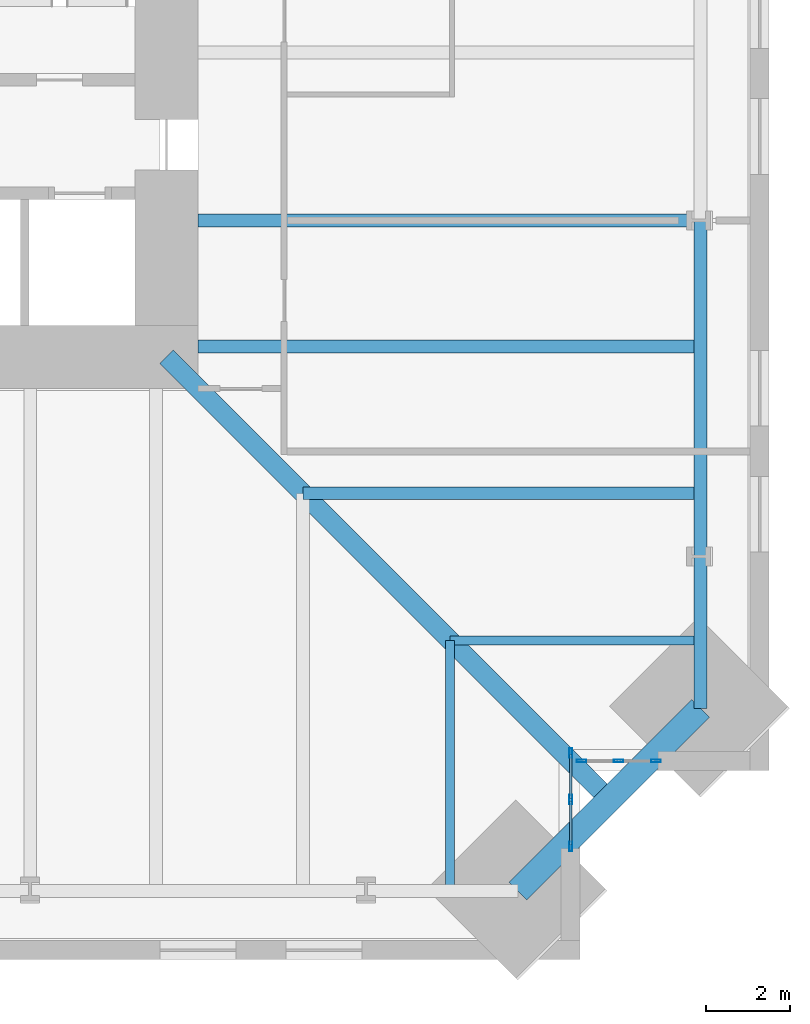
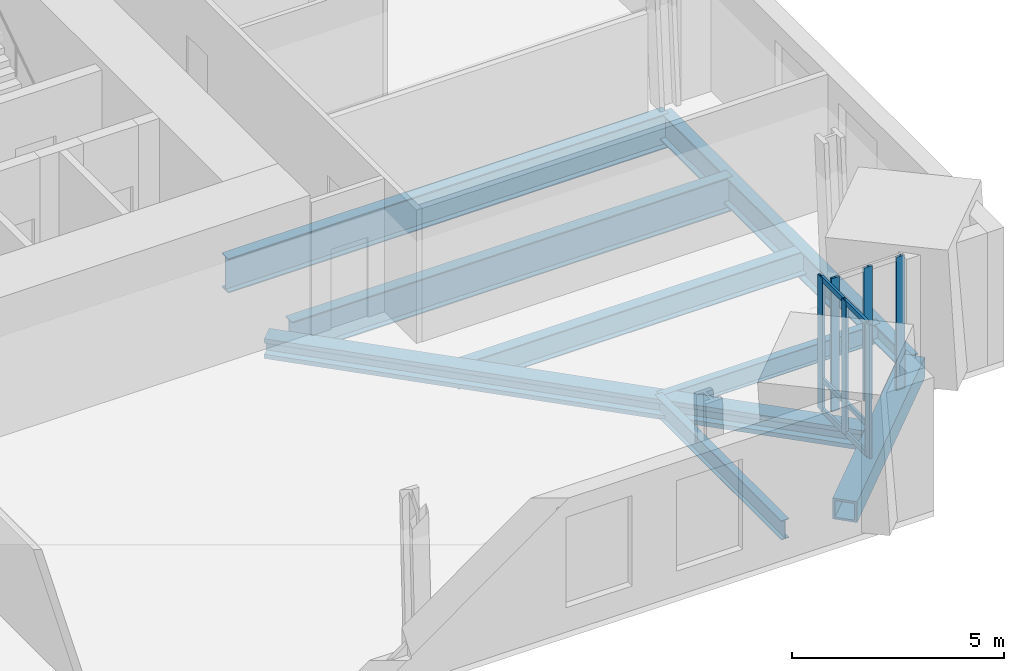
# One storey, part 4 of 18: 12 members, 9 beams, 2 elements without a shape of their own.
"""IFC4 building model written with IfcOpenShell, lengths in metres."""

from ifc_helpers import new_model, si_unit, direction, frame, origin, origin_2d, place, context, subcontext, project, spatial, hollow_rectangle, i_section, extrude, material, material_profile, profile_set, type_object, element, aggregate, save


model = new_model("IFC4")

# Units and contexts
model_context = context("Model", 3, precision=1e-05, world=origin(), true_north=direction((0.0, 1.0)))
body_context = subcontext(model_context, "Body", "Model", "MODEL_VIEW")
ifc_project = project(units=[si_unit("LENGTHUNIT", "METRE"), si_unit("AREAUNIT", "SQUARE_METRE"), si_unit("VOLUMEUNIT", "CUBIC_METRE"), si_unit("PLANEANGLEUNIT", "RADIAN"), si_unit("MASSUNIT", "GRAM", prefix="KILO")], contexts=[model_context])

# Site, building, storey
site_placement = place(None, origin())
site = spatial("IfcSite", under=ifc_project, at=site_placement, CompositionType="ELEMENT")
building_placement = place(site_placement, origin())
building = spatial("IfcBuilding", under=site, at=building_placement, Name="Peilmerk Tower", CompositionType="ELEMENT")
storey_placement = place(building_placement, frame((0.0, 0.0, 171.800048828125)))
storey = spatial("IfcBuildingStorey", under=building, at=storey_placement, Name="L36", CompositionType="ELEMENT", Elevation=171.800048828125)

# Beams
ifc_material_1 = material(Name="Steel S355", Category="steel")
ifc_material_profile_1 = material_profile(ifc_material_1, i_section(OverallWidth=0.2099609375, OverallDepth=0.550048828125, WebThickness=0.010986328125, FlangeThickness=0.01708984375, at=origin_2d()), Name="IPE 550")
ifc_profile_set_1 = profile_set([ifc_material_profile_1], Name="Steel S355")
beam_type_1 = type_object("IfcBeamType", Name="B12 IPE 550 floor beam", PredefinedType="BEAM", material=ifc_profile_set_1)
for number, where, z_axis, x_axis, name in (
    (1, (18.0, -18.0, -0.445068359375), (0.0, -1.0, 0.0), (1.0, 0.0, 0.0), "Floor beam L36"),
    (2, (18.0, -18.0, -0.445068359375), (1.0, 0.0, 0.0), (0.0, 1.0, 0.0), "Floor beam L36"),
):
    element("IfcBeam", number, at=place(storey_placement, frame(where, z_axis=z_axis, x_axis=x_axis)), inside=storey, type_object=beam_type_1, Name=name, PredefinedType="BEAM", context=body_context, shape_type="SweptSolid", body=[
        extrude(i_section(OverallWidth=0.2099609375, OverallDepth=0.550048828125, WebThickness=0.010986328125, FlangeThickness=0.01708984375, at=origin_2d()), origin(), (0.0, 0.0, 1.0), 5.96923828125),
    ])
ifc_material_profile_2 = material_profile(ifc_material_1, i_section(OverallWidth=0.300048828125, OverallDepth=0.989990234375, WebThickness=0.0166015625, FlangeThickness=0.031005859375, at=origin_2d()), Name="HEA 1000")
ifc_profile_set_2 = profile_set([ifc_material_profile_2], Name="Steel S355")
beam_type_2 = type_object("IfcBeamType", Name="B14 HEA 1000 floor girder", PredefinedType="BEAM", material=ifc_profile_set_2)
for number, where, z_axis, x_axis, name in (
    (3, (12.0, -11.0, -0.6650390625), (1.0, 0.0, 0.0), (0.0, 1.0, 0.0), "Floor beam L36"),
    (4, (12.0, -8.0, -0.6650390625), (1.0, 0.0, 0.0), (0.0, 1.0, 0.0), "Floor beam L36"),
):
    element("IfcBeam", number, at=place(storey_placement, frame(where, z_axis=z_axis, x_axis=x_axis)), inside=storey, type_object=beam_type_2, Name=name, PredefinedType="BEAM", context=body_context, shape_type="SweptSolid", body=[
        extrude(i_section(OverallWidth=0.300048828125, OverallDepth=0.989990234375, WebThickness=0.0166015625, FlangeThickness=0.031005859375, at=origin_2d()), origin(), (0.0, 0.0, 1.0), 11.96923828125),
    ])
ifc_material_profile_3 = material_profile(ifc_material_1, i_section(OverallWidth=0.302978515625, OverallDepth=0.81396484375, WebThickness=0.02099609375, FlangeThickness=0.0400390625, at=origin_2d()), Name="HEM 800")
ifc_profile_set_3 = profile_set([ifc_material_profile_3], Name="Steel S355")
beam_type_3 = type_object("IfcBeamType", Name="B15 HEM 800 edge beam", PredefinedType="SPANDREL", material=ifc_profile_set_3)
beam_1_placement = place(storey_placement, frame((23.96923828125, -16.0, -0.5771484375), z_axis=(0.0, 1.0, 0.0), x_axis=(-1.0, 0.0, 0.0)))
element("IfcBeam", 5, at=beam_1_placement, inside=storey, type_object=beam_type_3, Name="Edge beam L36", PredefinedType="SPANDREL", context=body_context, shape_type="SweptSolid", body=[
    extrude(i_section(OverallWidth=0.302978515625, OverallDepth=0.81396484375, WebThickness=0.02099609375, FlangeThickness=0.0400390625, at=origin_2d()), origin(), (0.0, 0.0, 1.0), 8.0),
])
ifc_material_profile_4 = material_profile(ifc_material_1, i_section(OverallWidth=0.300048828125, OverallDepth=0.68994140625, WebThickness=0.014404296875, FlangeThickness=0.027099609375, at=origin_2d()), Name="HEA 700")
ifc_profile_set_4 = profile_set([ifc_material_profile_4], Name="Steel S355")
beam_type_4 = type_object("IfcBeamType", Name="B16 HEA 700 floor beam", PredefinedType="BEAM", material=ifc_profile_set_4)
beam_2_placement = place(storey_placement, frame((14.5, -14.5, -0.51513671875), z_axis=(1.0, 0.0, 0.0), x_axis=(0.0, 1.0, 0.0)))
element("IfcBeam", 6, at=beam_2_placement, inside=storey, type_object=beam_type_4, Name="Floor beam L36", PredefinedType="BEAM", context=body_context, shape_type="SweptSolid", body=[
    extrude(i_section(OverallWidth=0.300048828125, OverallDepth=0.68994140625, WebThickness=0.014404296875, FlangeThickness=0.027099609375, at=origin_2d()), origin(), (0.0, 0.0, 1.0), 9.46923828125),
])
ifc_material_2 = material(Name="Steel S460", Category="steel")
ifc_material_profile_5 = material_profile(ifc_material_2, hollow_rectangle(XDim=0.60009765625, YDim=0.60009765625, WallThickness=0.06005859375, at=origin_2d()), Name="BOX 600x600x60")
ifc_profile_set_5 = profile_set([ifc_material_profile_5], Name="Steel S460")
beam_type_5 = type_object("IfcBeamType", Name="B20 BOX 600x600x60 notch beam", PredefinedType="SPANDREL", material=ifc_profile_set_5)
beam_3_placement = place(storey_placement, frame((23.96923828125, -19.619384765625, -0.469970703125), z_axis=(-0.707106781187, -0.707106781187, 0.0), x_axis=(0.707106781187, -0.707106781187, 0.0)))
element("IfcBeam", 7, at=beam_3_placement, inside=storey, type_object=beam_type_5, Name="Notch beam L36", PredefinedType="SPANDREL", context=body_context, shape_type="SweptSolid", body=[
    extrude(hollow_rectangle(XDim=0.60009765625, YDim=0.60009765625, WallThickness=0.06005859375, at=origin_2d()), origin(), (0.0, 0.0, 1.0), 6.151611328125),
])
ifc_material_profile_6 = material_profile(ifc_material_1, i_section(OverallWidth=0.305908203125, OverallDepth=0.52392578125, WebThickness=0.02099609375, FlangeThickness=0.0400390625, at=origin_2d()), Name="HEM 500")
ifc_profile_set_6 = profile_set([ifc_material_profile_6], Name="Steel S355")
beam_type_6 = type_object("IfcBeamType", Name="B33 HEM 500 edge beam", PredefinedType="SPANDREL", material=ifc_profile_set_6)
beam_4_placement = place(storey_placement, frame((23.96923828125, -19.619384765625, -0.43212890625), z_axis=(0.0, 1.0, 0.0), x_axis=(-1.0, 0.0, 0.0)))
element("IfcBeam", 8, at=beam_4_placement, inside=storey, type_object=beam_type_6, Name="Edge beam L36", PredefinedType="SPANDREL", context=body_context, shape_type="SweptSolid", body=[
    extrude(i_section(OverallWidth=0.305908203125, OverallDepth=0.52392578125, WebThickness=0.02099609375, FlangeThickness=0.0400390625, at=origin_2d()), origin(), (0.0, 0.0, 1.0), 3.619384765625),
])
ifc_material_profile_7 = material_profile(ifc_material_2, i_section(OverallWidth=0.4541015625, OverallDepth=0.569091796875, WebThickness=0.077880859375, FlangeThickness=0.125, at=origin_2d()), Name="HD 400x1086")
ifc_profile_set_7 = profile_set([ifc_material_profile_7], Name="Steel S460")
beam_type_7 = type_object("IfcBeamType", Name="B9 HD 400x1086 corner girder", PredefinedType="BEAM", material=ifc_profile_set_7)
beam_5_placement = place(storey_placement, frame((11.25, -11.25, -0.45458984375), z_axis=(0.707106781187, -0.707106781187, 0.0), x_axis=(0.707106781187, 0.707106781187, 0.0)))
element("IfcBeam", 9, at=beam_5_placement, inside=storey, type_object=beam_type_7, Name="Corner girder L36", PredefinedType="BEAM", context=body_context, shape_type="SweptSolid", body=[
    extrude(i_section(OverallWidth=0.4541015625, OverallDepth=0.569091796875, WebThickness=0.077880859375, FlangeThickness=0.125, at=origin_2d()), origin(), (0.0, 0.0, 1.0), 14.912109375),
])

# Curtain wall, members
ifc_material_3 = material(Name="Aluminium stick curtain wall", Category="aluminium")
curtain_wall_type = type_object("IfcCurtainWallType", Name="CW3 stick curtain wall, 2250 module", PredefinedType="NOTDEFINED", material=ifc_material_3)
curtain_wall_1_placement = place(storey_placement, origin())
curtain_wall_1 = element("IfcCurtainWall", 10, at=curtain_wall_1_placement, inside=storey, type_object=curtain_wall_type, Name="Curtain wall CW3 SEA L36", PredefinedType="NOTDEFINED")
ifc_material_4 = material(Name="Aluminium EN AW-6063 T6", Category="aluminium")
ifc_material_profile_8 = material_profile(ifc_material_4, hollow_rectangle(XDim=0.06494140625, YDim=0.22509765625, WallThickness=0.00390625, at=origin_2d()), Name="AL 225x65x4")
ifc_profile_set_8 = profile_set([ifc_material_profile_8], Name="Aluminium EN AW-6063 T6")
member_type_1 = type_object("IfcMemberType", Name="CW3-M AL 225x65x4 mullion", PredefinedType="MULLION", material=ifc_profile_set_8)
member_1_placement = place(storey_placement, frame((20.875, -20.6826171875, 0.0), z_axis=(0.0, 0.0, 1.0), x_axis=(1.0, 0.0, 0.0)))
member_1 = element("IfcMember", 11, at=member_1_placement, type_object=member_type_1, Name="CW3 mullion 1", PredefinedType="MULLION", context=body_context, shape_type="SweptSolid", body=[
    extrude(hollow_rectangle(XDim=0.06494140625, YDim=0.22509765625, WallThickness=0.00390625, at=origin_2d()), origin(), (0.0, 0.0, 1.0), 3.829833984375),
])
member_2_placement = place(storey_placement, frame((20.875, -21.79443359375, 0.0), z_axis=(0.0, 0.0, 1.0), x_axis=(1.0, 0.0, 0.0)))
member_2 = element("IfcMember", 12, at=member_2_placement, type_object=member_type_1, Name="CW3 mullion 2", PredefinedType="MULLION", context=body_context, shape_type="SweptSolid", body=[
    extrude(hollow_rectangle(XDim=0.06494140625, YDim=0.22509765625, WallThickness=0.00390625, at=origin_2d()), origin(), (0.0, 0.0, 1.0), 3.829833984375),
])
member_3_placement = place(storey_placement, frame((20.875, -22.90625, 0.0), z_axis=(0.0, 0.0, 1.0), x_axis=(1.0, 0.0, 0.0)))
member_3 = element("IfcMember", 13, at=member_3_placement, type_object=member_type_1, Name="CW3 mullion 3", PredefinedType="MULLION", context=body_context, shape_type="SweptSolid", body=[
    extrude(hollow_rectangle(XDim=0.06494140625, YDim=0.22509765625, WallThickness=0.00390625, at=origin_2d()), origin(), (0.0, 0.0, 1.0), 3.829833984375),
])

curtain_wall_2_placement = place(storey_placement, origin())
curtain_wall_2 = element("IfcCurtainWall", 14, at=curtain_wall_2_placement, inside=storey, type_object=curtain_wall_type, Name="Curtain wall CW3 SEB L36", PredefinedType="NOTDEFINED")
member_4_placement = place(storey_placement, frame((21.132568359375, -20.875, 0.0), z_axis=(0.0, 0.0, 1.0), x_axis=(0.0, 1.0, 0.0)))
member_4 = element("IfcMember", 15, at=member_4_placement, type_object=member_type_1, Name="CW3 mullion 1", PredefinedType="MULLION", context=body_context, shape_type="SweptSolid", body=[
    extrude(hollow_rectangle(XDim=0.06494140625, YDim=0.22509765625, WallThickness=0.00390625, at=origin_2d()), origin(), (0.0, 0.0, 1.0), 3.829833984375),
])
member_5_placement = place(storey_placement, frame((22.019287109375, -20.875, 0.0), z_axis=(0.0, 0.0, 1.0), x_axis=(0.0, 1.0, 0.0)))
member_5 = element("IfcMember", 16, at=member_5_placement, type_object=member_type_1, Name="CW3 mullion 2", PredefinedType="MULLION", context=body_context, shape_type="SweptSolid", body=[
    extrude(hollow_rectangle(XDim=0.06494140625, YDim=0.22509765625, WallThickness=0.00390625, at=origin_2d()), origin(), (0.0, 0.0, 1.0), 3.829833984375),
])
member_6_placement = place(storey_placement, frame((22.90625, -20.875, 0.0), z_axis=(0.0, 0.0, 1.0), x_axis=(0.0, 1.0, 0.0)))
member_6 = element("IfcMember", 17, at=member_6_placement, type_object=member_type_1, Name="CW3 mullion 3", PredefinedType="MULLION", context=body_context, shape_type="SweptSolid", body=[
    extrude(hollow_rectangle(XDim=0.06494140625, YDim=0.22509765625, WallThickness=0.00390625, at=origin_2d()), origin(), (0.0, 0.0, 1.0), 3.829833984375),
])
aggregate(curtain_wall_2, [member_4, member_5, member_6])

# Member
ifc_material_profile_9 = material_profile(ifc_material_4, hollow_rectangle(XDim=0.06494140625, YDim=0.14990234375, WallThickness=0.0029296875, at=origin_2d()), Name="AL 150x65x3")
ifc_profile_set_9 = profile_set([ifc_material_profile_9], Name="Aluminium EN AW-6063 T6")
member_type_2 = type_object("IfcMemberType", Name="CW3-T AL 150x65x3 transom", PredefinedType="USERDEFINED", material=ifc_profile_set_9)
member_7_placement = place(storey_placement, frame((20.875, -20.715087890625, 0.032470703125), z_axis=(0.0, -1.0, 0.0), x_axis=(1.0, 0.0, 0.0)))
member_7 = element("IfcMember", 18, at=member_7_placement, type_object=member_type_2, Name="CW3 transom 1.1", ObjectType="TRANSOM", PredefinedType="USERDEFINED", context=body_context, shape_type="SweptSolid", body=[
    extrude(hollow_rectangle(XDim=0.06494140625, YDim=0.14990234375, WallThickness=0.0029296875, at=origin_2d()), origin(), (0.0, 0.0, 1.0), 1.046630859375),
])

member_8_placement = place(storey_placement, frame((20.875, -20.715087890625, 0.89990234375), z_axis=(0.0, -1.0, 0.0), x_axis=(1.0, 0.0, 0.0)))
member_8 = element("IfcMember", 19, at=member_8_placement, type_object=member_type_2, Name="CW3 transom 1.2", ObjectType="TRANSOM", PredefinedType="USERDEFINED", context=body_context, shape_type="SweptSolid", body=[
    extrude(hollow_rectangle(XDim=0.06494140625, YDim=0.14990234375, WallThickness=0.0029296875, at=origin_2d()), origin(), (0.0, 0.0, 1.0), 1.046630859375),
])

member_9_placement = place(storey_placement, frame((20.875, -20.715087890625, 3.79736328125), z_axis=(0.0, -1.0, 0.0), x_axis=(1.0, 0.0, 0.0)))
member_9 = element("IfcMember", 20, at=member_9_placement, type_object=member_type_2, Name="CW3 transom 1.3", ObjectType="TRANSOM", PredefinedType="USERDEFINED", context=body_context, shape_type="SweptSolid", body=[
    extrude(hollow_rectangle(XDim=0.06494140625, YDim=0.14990234375, WallThickness=0.0029296875, at=origin_2d()), origin(), (0.0, 0.0, 1.0), 1.046630859375),
])

member_10_placement = place(storey_placement, frame((20.875, -21.826904296875, 0.032470703125), z_axis=(0.0, -1.0, 0.0), x_axis=(1.0, 0.0, 0.0)))
member_10 = element("IfcMember", 21, at=member_10_placement, type_object=member_type_2, Name="CW3 transom 2.1", ObjectType="TRANSOM", PredefinedType="USERDEFINED", context=body_context, shape_type="SweptSolid", body=[
    extrude(hollow_rectangle(XDim=0.06494140625, YDim=0.14990234375, WallThickness=0.0029296875, at=origin_2d()), origin(), (0.0, 0.0, 1.0), 1.046875),
])

member_11_placement = place(storey_placement, frame((20.875, -21.826904296875, 0.89990234375), z_axis=(0.0, -1.0, 0.0), x_axis=(1.0, 0.0, 0.0)))
member_11 = element("IfcMember", 22, at=member_11_placement, type_object=member_type_2, Name="CW3 transom 2.2", ObjectType="TRANSOM", PredefinedType="USERDEFINED", context=body_context, shape_type="SweptSolid", body=[
    extrude(hollow_rectangle(XDim=0.06494140625, YDim=0.14990234375, WallThickness=0.0029296875, at=origin_2d()), origin(), (0.0, 0.0, 1.0), 1.046875),
])

member_12_placement = place(storey_placement, frame((20.875, -21.826904296875, 3.79736328125), z_axis=(0.0, -1.0, 0.0), x_axis=(1.0, 0.0, 0.0)))
member_12 = element("IfcMember", 23, at=member_12_placement, type_object=member_type_2, Name="CW3 transom 2.3", ObjectType="TRANSOM", PredefinedType="USERDEFINED", context=body_context, shape_type="SweptSolid", body=[
    extrude(hollow_rectangle(XDim=0.06494140625, YDim=0.14990234375, WallThickness=0.0029296875, at=origin_2d()), origin(), (0.0, 0.0, 1.0), 1.046875),
])

aggregate(curtain_wall_1, [member_1, member_2, member_3, member_7, member_8, member_9, member_10, member_11, member_12])

save(model, "model.ifc")
